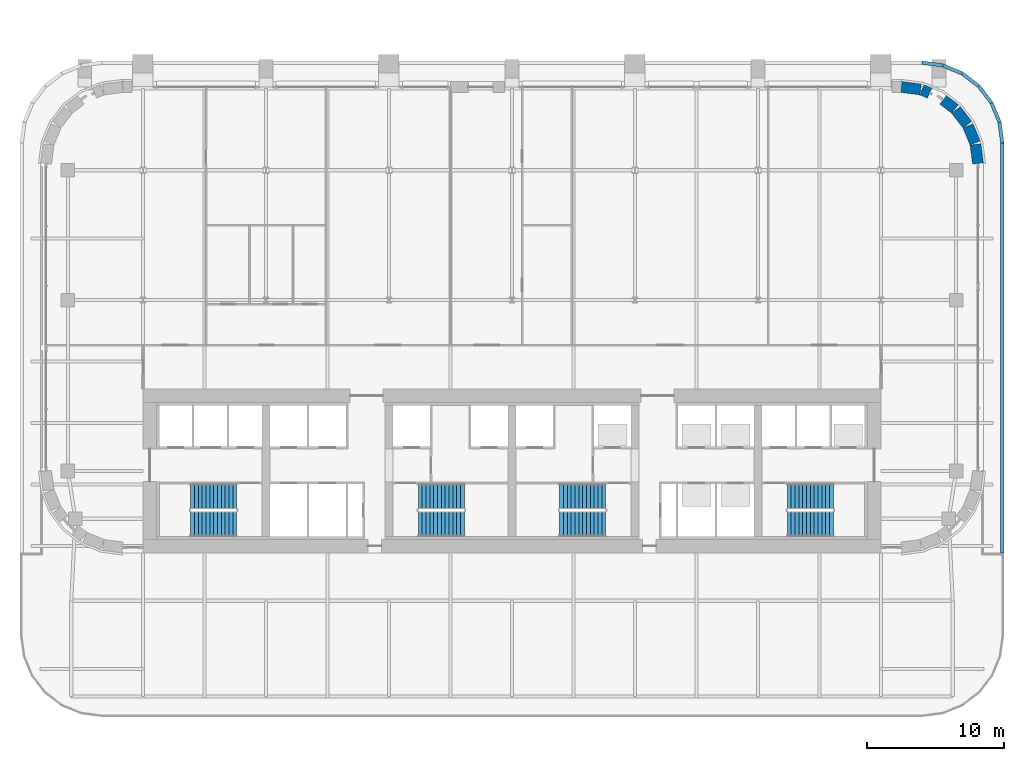
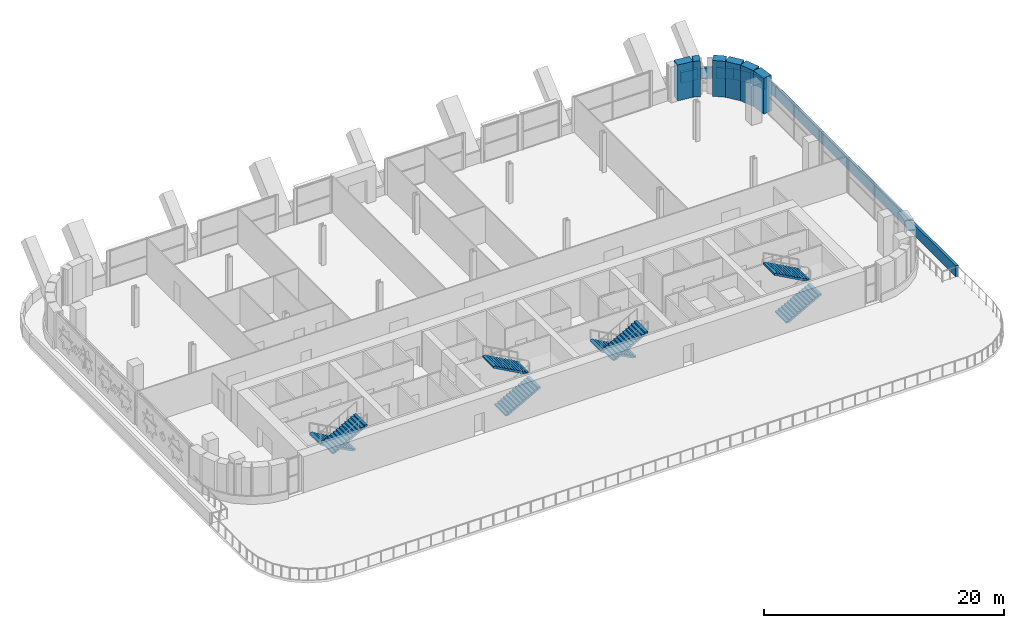
# One storey, part 18 of 26: 13 walls, 8 stair flights, 4 elements without a shape of their own.
"""IFC4 building model written with IfcOpenShell, lengths in metres."""

from ifc_helpers import new_model, si_unit, direction, frame, frame_2d, origin, place, context, subcontext, project, spatial, polyline, rectangle, outline, extrude, material, layer, layer_set, type_object, element, aggregate, save


model = new_model("IFC4")

# Units and contexts
model_context = context("Model", 3, precision=1e-05, world=origin(), true_north=direction((0.0, 1.0)))
body_context = subcontext(model_context, "Body", "Model", "MODEL_VIEW")
ifc_project = project(units=[si_unit("LENGTHUNIT", "METRE"), si_unit("AREAUNIT", "SQUARE_METRE"), si_unit("VOLUMEUNIT", "CUBIC_METRE"), si_unit("PLANEANGLEUNIT", "RADIAN"), si_unit("MASSUNIT", "GRAM", prefix="KILO")], contexts=[model_context])

# Site, building, storey
site_placement = place(None, origin())
site = spatial("IfcSite", under=ifc_project, at=site_placement, CompositionType="ELEMENT")
building_placement = place(site_placement, origin())
building = spatial("IfcBuilding", under=site, at=building_placement, Name="Zellij Exchange Tower", CompositionType="ELEMENT")
storey_placement = place(building_placement, frame((0.0, 0.0, 156.5)))
storey = spatial("IfcBuildingStorey", under=building, at=storey_placement, Name="L35", CompositionType="ELEMENT", Elevation=156.5)

# Walls
ifc_material_1 = material(Name="Precast concrete C40/50", Category="concrete")
ifc_layer_1 = layer(ifc_material_1, 0.800048828125)
ifc_layer_set_1 = layer_set([ifc_layer_1], Name="Precast concrete C40/50")
wall_type_1 = type_object("IfcWallType", Name="ENV-EW1 Precast stone-piered wall 800", PredefinedType="SOLIDWALL", material=ifc_layer_set_1)
wall_1_placement = place(storey_placement, frame((34.0966796875, 14.499755859375, 0.0), z_axis=(0.0, 0.0, 1.0), x_axis=(-0.130517283865, 0.99144603414, 0.0)))
element("IfcWall", 1, at=wall_1_placement, inside=storey, type_object=wall_type_1, Name="fac.L35.08", PredefinedType="SOLIDWALL", context=body_context, shape_type="SweptSolid", body=[
    extrude(rectangle(XDim=1.408447265625, YDim=0.800048828125, at=frame_2d((0.7041015625, 0.0))), origin(), (0.0, 0.0, 1.0), 3.64990234375),
])
wall_2_placement = place(storey_placement, frame((33.8857421875, 15.997314453125, 0.0), z_axis=(0.0, 0.0, 1.0), x_axis=(-0.38276009378, 0.923847774587, 0.0)))
element("IfcWall", 2, at=wall_2_placement, inside=storey, type_object=wall_type_1, Name="fac.L35.09", PredefinedType="SOLIDWALL", context=body_context, shape_type="SweptSolid", body=[
    extrude(rectangle(XDim=1.35546875, YDim=0.800048828125, at=frame_2d((0.677734375, 0.0))), origin(), (0.0, 0.0, 1.0), 3.64990234375),
])
wall_3_placement = place(storey_placement, frame((33.314697265625, 17.340087890625, 0.0), z_axis=(0.0, 0.0, 1.0), x_axis=(-0.608866226366, 0.793272915452, 0.0)))
element("IfcWall", 3, at=wall_3_placement, inside=storey, type_object=wall_type_1, Name="fac.L35.10", PredefinedType="SOLIDWALL", context=body_context, shape_type="SweptSolid", body=[
    extrude(rectangle(XDim=1.355712890625, YDim=0.800048828125, at=frame_2d((0.677734375, 0.0))), origin(), (0.0, 0.0, 1.0), 3.64990234375),
])
wall_4_placement = place(storey_placement, frame((32.41552734375, 18.4892578125, 0.0), z_axis=(0.0, 0.0, 1.0), x_axis=(-0.793279231512, 0.60885799728, 0.0)))
element("IfcWall", 4, at=wall_4_placement, inside=storey, type_object=wall_type_1, Name="fac.L35.11", PredefinedType="SOLIDWALL", context=body_context, shape_type="SweptSolid", body=[
    extrude(rectangle(XDim=1.093505859375, YDim=0.800048828125, at=frame_2d((0.546875, 0.0))), origin(), (0.0, 0.0, 1.0), 3.64990234375),
])
wall_5_placement = place(storey_placement, frame((30.55078125, 19.656494140625, 0.0), z_axis=(0.0, 0.0, 1.0), x_axis=(-0.923882723383, 0.382675728829, 0.0)))
element("IfcWall", 5, at=wall_5_placement, inside=storey, type_object=wall_type_1, Name="fac.L35.12", PredefinedType="SOLIDWALL", context=body_context, shape_type="SweptSolid", body=[
    extrude(rectangle(XDim=0.59912109375, YDim=0.800048828125, at=frame_2d((0.299560546875, 0.0))), origin(), (0.0, 0.0, 1.0), 3.64990234375),
])
wall_6_placement = place(storey_placement, frame((29.896240234375, 19.912841796875, 0.0), z_axis=(0.0, 0.0, 1.0), x_axis=(-0.99144603414, 0.130517283865, 0.0)))
element("IfcWall", 6, at=wall_6_placement, inside=storey, type_object=wall_type_1, Name="fac.L35.13", PredefinedType="SOLIDWALL", context=body_context, shape_type="SweptSolid", body=[
    extrude(rectangle(XDim=1.408447265625, YDim=0.800048828125, at=frame_2d((0.7041015625, 0.0))), origin(), (0.0, 0.0, 1.0), 3.64990234375),
])
ifc_layer_2 = layer(ifc_material_1, 0.25)
ifc_layer_set_2 = layer_set([ifc_layer_2], Name="Precast concrete C40/50")
wall_type_2 = type_object("IfcWallType", Name="ENV-PR1 Parapet 250", PredefinedType="PARAPET", material=ifc_layer_set_2)
wall_7_placement = place(storey_placement, frame((35.875, -14.0, 0.0), z_axis=(0.0, 0.0, 1.0), x_axis=(0.0, 1.0, 0.0)))
element("IfcWall", 7, at=wall_7_placement, inside=storey, type_object=wall_type_2, Name="fac.par.L35.02.01.01", PredefinedType="PARAPET", context=body_context, shape_type="SweptSolid", body=[
    extrude(rectangle(XDim=29.983642578125, YDim=0.25, at=frame_2d((14.99169921875, 0.0))), origin(), (0.0, 0.0, 1.0), 1.10009765625),
])
wall_8_placement = place(storey_placement, frame((35.873779296875, 16.0, 0.0), z_axis=(0.0, 0.0, 1.0), x_axis=(-0.130371242108, 0.991465248625, 0.0)))
element("IfcWall", 8, at=wall_8_placement, inside=storey, type_object=wall_type_2, Name="fac.par.L35.02.01.02", PredefinedType="PARAPET", context=body_context, shape_type="SweptSolid", body=[
    extrude(rectangle(XDim=1.516845703125, YDim=0.25, at=frame_2d((0.75830078125, 0.0))), origin(), (0.0, 0.0, 1.0), 1.10009765625),
])
for number, where, z_axis, x_axis, name in (
    (9, (35.66748046875, 17.535400390625, 0.0), (0.0, 0.0, 1.0), (-0.382696680739, 0.923874044744, 0.0), "fac.par.L35.02.01.03"),
    (10, (35.076904296875, 18.949951171875, 0.0), (0.0, 0.0, 1.0), (-0.608711614562, 0.793391561776, 0.0), "fac.par.L35.02.01.04"),
    (11, (34.140380859375, 20.16357421875, 0.0), (0.0, 0.0, 1.0), (-0.793391561776, 0.608711614562, 0.0), "fac.par.L35.02.01.05"),
    (12, (32.921630859375, 21.09326171875, 0.0), (0.0, 0.0, 1.0), (-0.923874044744, 0.382696680739, 0.0), "fac.par.L35.02.01.06"),
):
    element("IfcWall", number, at=place(storey_placement, frame(where, z_axis=z_axis, x_axis=x_axis)), inside=storey, type_object=wall_type_2, Name=name, PredefinedType="PARAPET", context=body_context, shape_type="SweptSolid", body=[
        extrude(rectangle(XDim=1.50048828125, YDim=0.25, at=frame_2d((0.750244140625, 0.0))), origin(), (0.0, 0.0, 1.0), 1.10009765625),
    ])
wall_9_placement = place(storey_placement, frame((31.50390625, 21.676025390625, 0.0), z_axis=(0.0, 0.0, 1.0), x_axis=(-0.991465248625, 0.130371242108, 0.0)))
element("IfcWall", 13, at=wall_9_placement, inside=storey, type_object=wall_type_2, Name="fac.par.L35.02.01.07", PredefinedType="PARAPET", context=body_context, shape_type="SweptSolid", body=[
    extrude(rectangle(XDim=1.516845703125, YDim=0.25, at=frame_2d((0.75830078125, 0.0))), origin(), (0.0, 0.0, 1.0), 1.10009765625),
])

# Stair, stair flights
ifc_material_2 = material(Name="Concrete C40/50", Category="concrete")
stair_type = type_object("IfcStairType", Name="CORE-ST exit stair 1850 wide", PredefinedType="HALF_TURN_STAIR", material=ifc_material_2)
stair_1_placement = place(storey_placement, origin())
stair_1 = element("IfcStair", 14, at=stair_1_placement, inside=storey, type_object=stair_type, Name="L35 exit stair ST1", PredefinedType="HALF_TURN_STAIR")
stair_flight_type = type_object("IfcStairFlightType", Name="CORE-SF flight 1850 riser 153.8 going 280", PredefinedType="STRAIGHT", material=ifc_material_2)
stair_flight_1_placement = place(storey_placement, frame((-20.14990234375, -9.875, 0.0), z_axis=(0.0, 0.0, 1.0), x_axis=(-1.0, 0.0, 0.0)))
stair_flight_1 = element("IfcStairFlight", 15, at=stair_flight_1_placement, type_object=stair_flight_type, Name="ST1 flight 1", NumberOfRisers=13, NumberOfTreads=12, PredefinedType="STRAIGHT", RiserHeight=0.153846154, TreadLength=0.28, context=body_context, shape_type="SweptSolid", body=[
    extrude(outline(polyline([(0.0, 0.0), (0.0, 0.15380859375), (0.280029296875, 0.15380859375), (0.280029296875, 0.3076171875), (0.56005859375, 0.3076171875), (0.56005859375, 0.46142578125), (0.840087890625, 0.46142578125), (0.840087890625, 0.615478515625), (1.1201171875, 0.615478515625), (1.1201171875, 0.769287109375), (1.39990234375, 0.769287109375), (1.39990234375, 0.923095703125), (1.679931640625, 0.923095703125), (1.679931640625, 1.076904296875), (1.9599609375, 1.076904296875), (1.9599609375, 1.230712890625), (2.239990234375, 1.230712890625), (2.239990234375, 1.384521484375), (2.52001953125, 1.384521484375), (2.52001953125, 1.53857421875), (2.800048828125, 1.53857421875), (2.800048828125, 1.6923828125), (3.080078125, 1.6923828125), (3.080078125, 1.84619140625), (3.360107421875, 1.84619140625), (3.360107421875, 2.0), (3.360107421875, 1.675048828125), (0.311279296875, 0.0), (0.0, 0.0)])), frame((0.0, 0.925048828125, 0.0), z_axis=(0.0, -1.0, 0.0), x_axis=(1.0, 0.0, 0.0)), (0.0, 0.0, 1.0), 1.85009765625),
])
stair_flight_2_placement = place(storey_placement, frame((-23.510009765625, -11.875, 2.0), z_axis=(0.0, 0.0, 1.0), x_axis=(1.0, 0.0, 0.0)))
stair_flight_2 = element("IfcStairFlight", 16, at=stair_flight_2_placement, type_object=stair_flight_type, Name="ST1 flight 2", NumberOfRisers=13, NumberOfTreads=12, PredefinedType="STRAIGHT", RiserHeight=0.153846154, TreadLength=0.28, context=body_context, shape_type="SweptSolid", body=[
    extrude(outline(polyline([(0.0, 0.0), (0.0, 0.15380859375), (0.280029296875, 0.15380859375), (0.280029296875, 0.3076171875), (0.56005859375, 0.3076171875), (0.56005859375, 0.46142578125), (0.840087890625, 0.46142578125), (0.840087890625, 0.615478515625), (1.1201171875, 0.615478515625), (1.1201171875, 0.769287109375), (1.39990234375, 0.769287109375), (1.39990234375, 0.923095703125), (1.679931640625, 0.923095703125), (1.679931640625, 1.076904296875), (1.9599609375, 1.076904296875), (1.9599609375, 1.230712890625), (2.239990234375, 1.230712890625), (2.239990234375, 1.384521484375), (2.52001953125, 1.384521484375), (2.52001953125, 1.53857421875), (2.800048828125, 1.53857421875), (2.800048828125, 1.6923828125), (3.080078125, 1.6923828125), (3.080078125, 1.84619140625), (3.360107421875, 1.84619140625), (3.360107421875, 2.0), (3.360107421875, 1.675048828125), (0.311279296875, 0.0), (0.0, 0.0)])), frame((0.0, 0.925048828125, 0.0), z_axis=(0.0, -1.0, 0.0), x_axis=(1.0, 0.0, 0.0)), (0.0, 0.0, 1.0), 1.85009765625),
])
aggregate(stair_1, [stair_flight_1, stair_flight_2])

stair_2_placement = place(storey_placement, origin())
stair_2 = element("IfcStair", 17, at=stair_2_placement, inside=storey, type_object=stair_type, Name="L35 exit stair ST2", PredefinedType="HALF_TURN_STAIR")
stair_flight_3_placement = place(storey_placement, frame((-6.85009765625, -11.875, 0.0), z_axis=(0.0, 0.0, 1.0), x_axis=(1.0, 0.0, 0.0)))
stair_flight_3 = element("IfcStairFlight", 18, at=stair_flight_3_placement, type_object=stair_flight_type, Name="ST2 flight 1", NumberOfRisers=13, NumberOfTreads=12, PredefinedType="STRAIGHT", RiserHeight=0.153846154, TreadLength=0.28, context=body_context, shape_type="SweptSolid", body=[
    extrude(outline(polyline([(0.0, 0.0), (0.0, 0.15380859375), (0.280029296875, 0.15380859375), (0.280029296875, 0.3076171875), (0.56005859375, 0.3076171875), (0.56005859375, 0.46142578125), (0.840087890625, 0.46142578125), (0.840087890625, 0.615478515625), (1.1201171875, 0.615478515625), (1.1201171875, 0.769287109375), (1.39990234375, 0.769287109375), (1.39990234375, 0.923095703125), (1.679931640625, 0.923095703125), (1.679931640625, 1.076904296875), (1.9599609375, 1.076904296875), (1.9599609375, 1.230712890625), (2.239990234375, 1.230712890625), (2.239990234375, 1.384521484375), (2.52001953125, 1.384521484375), (2.52001953125, 1.53857421875), (2.800048828125, 1.53857421875), (2.800048828125, 1.6923828125), (3.080078125, 1.6923828125), (3.080078125, 1.84619140625), (3.360107421875, 1.84619140625), (3.360107421875, 2.0), (3.360107421875, 1.675048828125), (0.311279296875, 0.0), (0.0, 0.0)])), frame((0.0, 0.925048828125, 0.0), z_axis=(0.0, -1.0, 0.0), x_axis=(1.0, 0.0, 0.0)), (0.0, 0.0, 1.0), 1.85009765625),
])
stair_flight_4_placement = place(storey_placement, frame((-3.489990234375, -9.875, 2.0), z_axis=(0.0, 0.0, 1.0), x_axis=(-1.0, 0.0, 0.0)))
stair_flight_4 = element("IfcStairFlight", 19, at=stair_flight_4_placement, type_object=stair_flight_type, Name="ST2 flight 2", NumberOfRisers=13, NumberOfTreads=12, PredefinedType="STRAIGHT", RiserHeight=0.153846154, TreadLength=0.28, context=body_context, shape_type="SweptSolid", body=[
    extrude(outline(polyline([(0.0, 0.0), (0.0, 0.15380859375), (0.280029296875, 0.15380859375), (0.280029296875, 0.3076171875), (0.56005859375, 0.3076171875), (0.56005859375, 0.46142578125), (0.840087890625, 0.46142578125), (0.840087890625, 0.615478515625), (1.1201171875, 0.615478515625), (1.1201171875, 0.769287109375), (1.39990234375, 0.769287109375), (1.39990234375, 0.923095703125), (1.679931640625, 0.923095703125), (1.679931640625, 1.076904296875), (1.9599609375, 1.076904296875), (1.9599609375, 1.230712890625), (2.239990234375, 1.230712890625), (2.239990234375, 1.384521484375), (2.52001953125, 1.384521484375), (2.52001953125, 1.53857421875), (2.800048828125, 1.53857421875), (2.800048828125, 1.6923828125), (3.080078125, 1.6923828125), (3.080078125, 1.84619140625), (3.360107421875, 1.84619140625), (3.360107421875, 2.0), (3.360107421875, 1.675048828125), (0.311279296875, 0.0), (0.0, 0.0)])), frame((0.0, 0.925048828125, 0.0), z_axis=(0.0, -1.0, 0.0), x_axis=(1.0, 0.0, 0.0)), (0.0, 0.0, 1.0), 1.85009765625),
])
aggregate(stair_2, [stair_flight_3, stair_flight_4])

stair_3_placement = place(storey_placement, origin())
stair_3 = element("IfcStair", 20, at=stair_3_placement, inside=storey, type_object=stair_type, Name="L35 exit stair ST3", PredefinedType="HALF_TURN_STAIR")
stair_flight_5_placement = place(storey_placement, frame((6.85009765625, -9.875, 0.0), z_axis=(0.0, 0.0, 1.0), x_axis=(-1.0, 0.0, 0.0)))
stair_flight_5 = element("IfcStairFlight", 21, at=stair_flight_5_placement, type_object=stair_flight_type, Name="ST3 flight 1", NumberOfRisers=13, NumberOfTreads=12, PredefinedType="STRAIGHT", RiserHeight=0.153846154, TreadLength=0.28, context=body_context, shape_type="SweptSolid", body=[
    extrude(outline(polyline([(0.0, 0.0), (0.0, 0.15380859375), (0.280029296875, 0.15380859375), (0.280029296875, 0.3076171875), (0.56005859375, 0.3076171875), (0.56005859375, 0.46142578125), (0.840087890625, 0.46142578125), (0.840087890625, 0.615478515625), (1.1201171875, 0.615478515625), (1.1201171875, 0.769287109375), (1.39990234375, 0.769287109375), (1.39990234375, 0.923095703125), (1.679931640625, 0.923095703125), (1.679931640625, 1.076904296875), (1.9599609375, 1.076904296875), (1.9599609375, 1.230712890625), (2.239990234375, 1.230712890625), (2.239990234375, 1.384521484375), (2.52001953125, 1.384521484375), (2.52001953125, 1.53857421875), (2.800048828125, 1.53857421875), (2.800048828125, 1.6923828125), (3.080078125, 1.6923828125), (3.080078125, 1.84619140625), (3.360107421875, 1.84619140625), (3.360107421875, 2.0), (3.360107421875, 1.675048828125), (0.311279296875, 0.0), (0.0, 0.0)])), frame((0.0, 0.925048828125, 0.0), z_axis=(0.0, -1.0, 0.0), x_axis=(1.0, 0.0, 0.0)), (0.0, 0.0, 1.0), 1.85009765625),
])
stair_flight_6_placement = place(storey_placement, frame((3.489990234375, -11.875, 2.0), z_axis=(0.0, 0.0, 1.0), x_axis=(1.0, 0.0, 0.0)))
stair_flight_6 = element("IfcStairFlight", 22, at=stair_flight_6_placement, type_object=stair_flight_type, Name="ST3 flight 2", NumberOfRisers=13, NumberOfTreads=12, PredefinedType="STRAIGHT", RiserHeight=0.153846154, TreadLength=0.28, context=body_context, shape_type="SweptSolid", body=[
    extrude(outline(polyline([(0.0, 0.0), (0.0, 0.15380859375), (0.280029296875, 0.15380859375), (0.280029296875, 0.3076171875), (0.56005859375, 0.3076171875), (0.56005859375, 0.46142578125), (0.840087890625, 0.46142578125), (0.840087890625, 0.615478515625), (1.1201171875, 0.615478515625), (1.1201171875, 0.769287109375), (1.39990234375, 0.769287109375), (1.39990234375, 0.923095703125), (1.679931640625, 0.923095703125), (1.679931640625, 1.076904296875), (1.9599609375, 1.076904296875), (1.9599609375, 1.230712890625), (2.239990234375, 1.230712890625), (2.239990234375, 1.384521484375), (2.52001953125, 1.384521484375), (2.52001953125, 1.53857421875), (2.800048828125, 1.53857421875), (2.800048828125, 1.6923828125), (3.080078125, 1.6923828125), (3.080078125, 1.84619140625), (3.360107421875, 1.84619140625), (3.360107421875, 2.0), (3.360107421875, 1.675048828125), (0.311279296875, 0.0), (0.0, 0.0)])), frame((0.0, 0.925048828125, 0.0), z_axis=(0.0, -1.0, 0.0), x_axis=(1.0, 0.0, 0.0)), (0.0, 0.0, 1.0), 1.85009765625),
])
aggregate(stair_3, [stair_flight_5, stair_flight_6])

stair_4_placement = place(storey_placement, origin())
stair_4 = element("IfcStair", 23, at=stair_4_placement, inside=storey, type_object=stair_type, Name="L35 exit stair ST4", PredefinedType="HALF_TURN_STAIR")
stair_flight_7_placement = place(storey_placement, frame((20.14990234375, -11.875, 0.0), z_axis=(0.0, 0.0, 1.0), x_axis=(1.0, 0.0, 0.0)))
stair_flight_7 = element("IfcStairFlight", 24, at=stair_flight_7_placement, type_object=stair_flight_type, Name="ST4 flight 1", NumberOfRisers=13, NumberOfTreads=12, PredefinedType="STRAIGHT", RiserHeight=0.153846154, TreadLength=0.28, context=body_context, shape_type="SweptSolid", body=[
    extrude(outline(polyline([(0.0, 0.0), (0.0, 0.15380859375), (0.280029296875, 0.15380859375), (0.280029296875, 0.3076171875), (0.56005859375, 0.3076171875), (0.56005859375, 0.46142578125), (0.840087890625, 0.46142578125), (0.840087890625, 0.615478515625), (1.1201171875, 0.615478515625), (1.1201171875, 0.769287109375), (1.39990234375, 0.769287109375), (1.39990234375, 0.923095703125), (1.679931640625, 0.923095703125), (1.679931640625, 1.076904296875), (1.9599609375, 1.076904296875), (1.9599609375, 1.230712890625), (2.239990234375, 1.230712890625), (2.239990234375, 1.384521484375), (2.52001953125, 1.384521484375), (2.52001953125, 1.53857421875), (2.800048828125, 1.53857421875), (2.800048828125, 1.6923828125), (3.080078125, 1.6923828125), (3.080078125, 1.84619140625), (3.360107421875, 1.84619140625), (3.360107421875, 2.0), (3.360107421875, 1.675048828125), (0.311279296875, 0.0), (0.0, 0.0)])), frame((0.0, 0.925048828125, 0.0), z_axis=(0.0, -1.0, 0.0), x_axis=(1.0, 0.0, 0.0)), (0.0, 0.0, 1.0), 1.85009765625),
])
stair_flight_8_placement = place(storey_placement, frame((23.510009765625, -9.875, 2.0), z_axis=(0.0, 0.0, 1.0), x_axis=(-1.0, 0.0, 0.0)))
stair_flight_8 = element("IfcStairFlight", 25, at=stair_flight_8_placement, type_object=stair_flight_type, Name="ST4 flight 2", NumberOfRisers=13, NumberOfTreads=12, PredefinedType="STRAIGHT", RiserHeight=0.153846154, TreadLength=0.28, context=body_context, shape_type="SweptSolid", body=[
    extrude(outline(polyline([(0.0, 0.0), (0.0, 0.15380859375), (0.280029296875, 0.15380859375), (0.280029296875, 0.3076171875), (0.56005859375, 0.3076171875), (0.56005859375, 0.46142578125), (0.840087890625, 0.46142578125), (0.840087890625, 0.615478515625), (1.1201171875, 0.615478515625), (1.1201171875, 0.769287109375), (1.39990234375, 0.769287109375), (1.39990234375, 0.923095703125), (1.679931640625, 0.923095703125), (1.679931640625, 1.076904296875), (1.9599609375, 1.076904296875), (1.9599609375, 1.230712890625), (2.239990234375, 1.230712890625), (2.239990234375, 1.384521484375), (2.52001953125, 1.384521484375), (2.52001953125, 1.53857421875), (2.800048828125, 1.53857421875), (2.800048828125, 1.6923828125), (3.080078125, 1.6923828125), (3.080078125, 1.84619140625), (3.360107421875, 1.84619140625), (3.360107421875, 2.0), (3.360107421875, 1.675048828125), (0.311279296875, 0.0), (0.0, 0.0)])), frame((0.0, 0.925048828125, 0.0), z_axis=(0.0, -1.0, 0.0), x_axis=(1.0, 0.0, 0.0)), (0.0, 0.0, 1.0), 1.85009765625),
])
aggregate(stair_4, [stair_flight_7, stair_flight_8])

save(model, "model.ifc")
